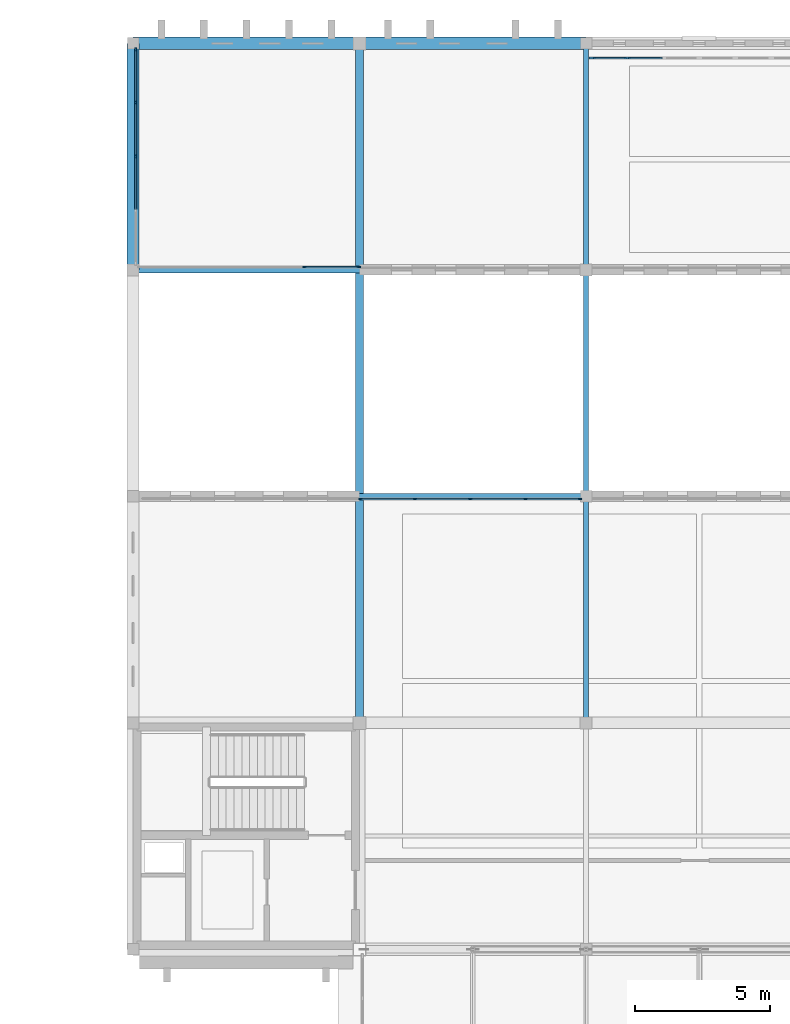
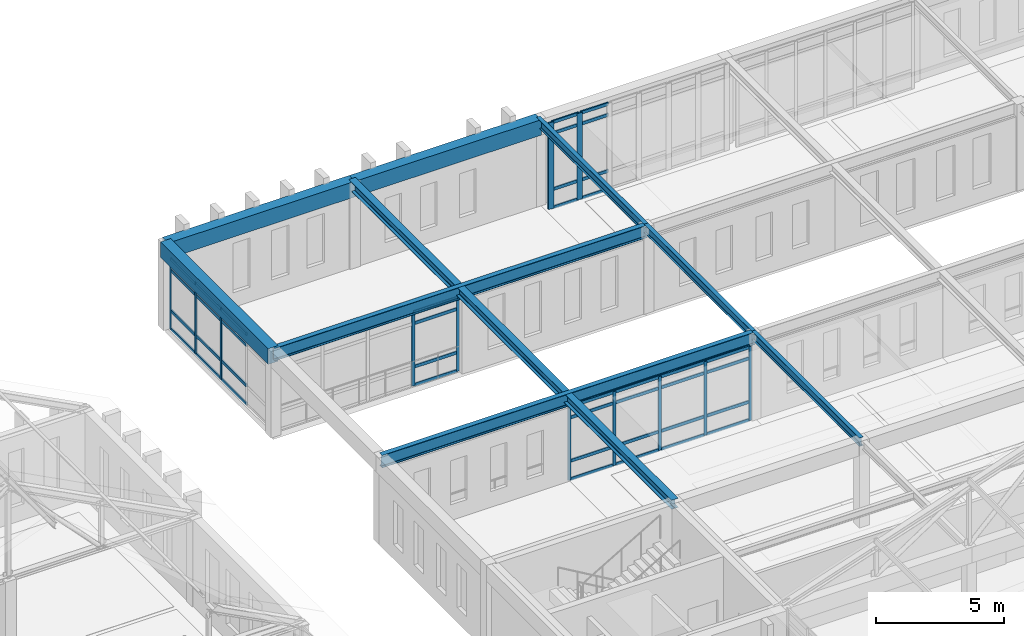
# One storey, part 86 of 192: 52 members, 9 beams, 4 elements without a shape of their own.
"""IFC4 building model written with IfcOpenShell, lengths in metres."""

from ifc_helpers import new_model, si_unit, direction, frame, origin, origin_2d, place, context, subcontext, project, spatial, rectangle, i_section, extrude, material, layer, layer_set, material_profile, profile_set, type_object, element, aggregate, save


model = new_model("IFC4")

# Units and contexts
model_context = context("Model", 3, precision=1e-05, world=origin(), true_north=direction((0.0, 1.0)))
body_context = subcontext(model_context, "Body", "Model", "MODEL_VIEW")
ifc_project = project(units=[si_unit("LENGTHUNIT", "METRE"), si_unit("AREAUNIT", "SQUARE_METRE"), si_unit("VOLUMEUNIT", "CUBIC_METRE"), si_unit("PLANEANGLEUNIT", "RADIAN"), si_unit("MASSUNIT", "GRAM", prefix="KILO")], contexts=[model_context])

# Site, building, storey
site_placement = place(None, origin())
site = spatial("IfcSite", under=ifc_project, at=site_placement, CompositionType="ELEMENT")
building_placement = place(site_placement, origin())
building = spatial("IfcBuilding", under=site, at=building_placement, Name="Kveldsbrygga Polytechnic", CompositionType="ELEMENT")
storey_placement = place(building_placement, frame((0.0, 0.0, 5.43994140625)))
storey = spatial("IfcBuildingStorey", under=building, at=storey_placement, Name="L01", CompositionType="ELEMENT", Elevation=5.43994140625)

# Beams
ifc_material_1 = material(Name="Concrete C35/45", Category="concrete")
ifc_material_profile_1 = material_profile(ifc_material_1, rectangle(XDim=0.449951171875, YDim=0.75, at=origin_2d()), Name="RC 450x750")
ifc_profile_set_1 = profile_set([ifc_material_profile_1], Name="Concrete C35/45")
beam_type_1 = type_object("IfcBeamType", Name="BM-RC-450x750", PredefinedType="BEAM", material=ifc_profile_set_1)
beam_1_placement = place(storey_placement, frame((42.0, 109.199951171875, 3.7451171875), z_axis=(0.0, 1.0, 0.0), x_axis=(-1.0, 0.0, 0.0)))
element("IfcBeam", 1, at=beam_1_placement, inside=storey, type_object=beam_type_1, Name="Primary Beam BMY-L01-05-13to14", PredefinedType="BEAM", context=body_context, shape_type="SweptSolid", body=[
    extrude(rectangle(XDim=0.449951171875, YDim=0.75, at=origin_2d()), origin(), (0.0, 0.0, 1.0), 8.400146484375),
])
ifc_material_profile_2 = material_profile(ifc_material_1, rectangle(XDim=0.4599609375, YDim=0.739990234375, at=origin_2d()), Name="RC 460x740")
ifc_profile_set_2 = profile_set([ifc_material_profile_2], Name="Concrete C35/45")
beam_type_2 = type_object("IfcBeamType", Name="BM-RC-460x740", PredefinedType="BEAM", material=ifc_profile_set_2)
beam_2_placement = place(storey_placement, frame((42.0, 117.60009765625, 3.75), z_axis=(1.0, 0.0, 0.0), x_axis=(0.0, 1.0, 0.0)))
element("IfcBeam", 2, at=beam_2_placement, inside=storey, type_object=beam_type_2, Name="Primary Beam BMX-L01-05to06-14", PredefinedType="BEAM", context=body_context, shape_type="SweptSolid", body=[
    extrude(rectangle(XDim=0.4599609375, YDim=0.739990234375, at=origin_2d()), origin(), (0.0, 0.0, 1.0), 8.39990234375),
])
beam_3_placement = place(storey_placement, frame((50.39990234375, 117.60009765625, 3.75), z_axis=(1.0, 0.0, 0.0), x_axis=(0.0, 1.0, 0.0)))
element("IfcBeam", 3, at=beam_3_placement, inside=storey, type_object=beam_type_2, Name="Primary Beam BMX-L01-06to07-14", PredefinedType="BEAM", context=body_context, shape_type="SweptSolid", body=[
    extrude(rectangle(XDim=0.4599609375, YDim=0.739990234375, at=origin_2d()), origin(), (0.0, 0.0, 1.0), 8.400146484375),
])
ifc_material_2 = material(Name="Steel S355", Category="steel")
ifc_material_profile_3 = material_profile(ifc_material_2, i_section(OverallWidth=0.300048828125, OverallDepth=0.43994140625, WebThickness=0.011474609375, FlangeThickness=0.02099609375, FilletRadius=0.027099609375, at=origin_2d()), Name="HEA 450")
ifc_profile_set_3 = profile_set([ifc_material_profile_3], Name="Steel S355")
beam_type_3 = type_object("IfcBeamType", Name="BM-STL-HEA450", PredefinedType="BEAM", material=ifc_profile_set_3)
beam_4_placement = place(storey_placement, frame((50.39990234375, 92.39990234375, 3.900146484375), z_axis=(0.0, 1.0, 0.0), x_axis=(-1.0, 0.0, 0.0)))
element("IfcBeam", 4, at=beam_4_placement, inside=storey, type_object=beam_type_3, Name="Primary Beam BMY-L01-06-11to14", PredefinedType="BEAM", context=body_context, shape_type="SweptSolid", body=[
    extrude(i_section(OverallWidth=0.300048828125, OverallDepth=0.43994140625, WebThickness=0.011474609375, FlangeThickness=0.02099609375, FilletRadius=0.027099609375, at=origin_2d()), origin(), (0.0, 0.0, 1.0), 25.2001953125),
])
ifc_material_profile_4 = material_profile(ifc_material_2, i_section(OverallWidth=0.179931640625, OverallDepth=0.39990234375, WebThickness=0.008544921875, FlangeThickness=0.013427734375, FilletRadius=0.02099609375, at=origin_2d()), Name="IPE 400")
ifc_profile_set_4 = profile_set([ifc_material_profile_4], Name="Steel S355")
beam_type_4 = type_object("IfcBeamType", Name="BM-STL-IPE400", PredefinedType="BEAM", material=ifc_profile_set_4)
beam_5_placement = place(storey_placement, frame((58.800048828125, 92.39990234375, 3.920166015625), z_axis=(0.0, 1.0, 0.0), x_axis=(-1.0, 0.0, 0.0)))
element("IfcBeam", 5, at=beam_5_placement, inside=storey, type_object=beam_type_4, Name="Primary Beam BMY-L01-07-11to12", PredefinedType="BEAM", context=body_context, shape_type="SweptSolid", body=[
    extrude(i_section(OverallWidth=0.179931640625, OverallDepth=0.39990234375, WebThickness=0.008544921875, FlangeThickness=0.013427734375, FilletRadius=0.02099609375, at=origin_2d()), origin(), (0.0, 0.0, 1.0), 8.400146484375),
])
beam_6_placement = place(storey_placement, frame((58.800048828125, 100.800048828125, 3.920166015625), z_axis=(0.0, 1.0, 0.0), x_axis=(-1.0, 0.0, 0.0)))
element("IfcBeam", 6, at=beam_6_placement, inside=storey, type_object=beam_type_4, Name="Primary Beam BMY-L01-07-12to13", PredefinedType="BEAM", context=body_context, shape_type="SweptSolid", body=[
    extrude(i_section(OverallWidth=0.179931640625, OverallDepth=0.39990234375, WebThickness=0.008544921875, FlangeThickness=0.013427734375, FilletRadius=0.02099609375, at=origin_2d()), origin(), (0.0, 0.0, 1.0), 8.39990234375),
])
beam_7_placement = place(storey_placement, frame((58.800048828125, 109.199951171875, 3.920166015625), z_axis=(0.0, 1.0, 0.0), x_axis=(-1.0, 0.0, 0.0)))
element("IfcBeam", 7, at=beam_7_placement, inside=storey, type_object=beam_type_4, Name="Primary Beam BMY-L01-07-13to14", PredefinedType="BEAM", context=body_context, shape_type="SweptSolid", body=[
    extrude(i_section(OverallWidth=0.179931640625, OverallDepth=0.39990234375, WebThickness=0.008544921875, FlangeThickness=0.013427734375, FilletRadius=0.02099609375, at=origin_2d()), origin(), (0.0, 0.0, 1.0), 8.400146484375),
])
ifc_material_profile_5 = material_profile(ifc_material_2, i_section(OverallWidth=0.219970703125, OverallDepth=0.60009765625, WebThickness=0.011962890625, FlangeThickness=0.01904296875, FilletRadius=0.02392578125, at=origin_2d()), Name="IPE 600")
ifc_profile_set_5 = profile_set([ifc_material_profile_5], Name="Steel S355")
beam_type_5 = type_object("IfcBeamType", Name="BM-STL-IPE600", PredefinedType="BEAM", material=ifc_profile_set_5)
for number, where, z_axis, x_axis, name in (
    (8, (42.0, 100.800048828125, 3.820068359375), (1.0, 0.0, 0.0), (0.0, 1.0, 0.0), "Primary Beam BMX-L01-05to07-12"),
    (9, (42.0, 109.199951171875, 3.820068359375), (1.0, 0.0, 0.0), (0.0, 1.0, 0.0), "Primary Beam BMX-L01-05to07-13"),
):
    element("IfcBeam", number, at=place(storey_placement, frame(where, z_axis=z_axis, x_axis=x_axis)), inside=storey, type_object=beam_type_5, Name=name, PredefinedType="BEAM", context=body_context, shape_type="SweptSolid", body=[
        extrude(i_section(OverallWidth=0.219970703125, OverallDepth=0.60009765625, WebThickness=0.011962890625, FlangeThickness=0.01904296875, FilletRadius=0.02392578125, at=origin_2d()), origin(), (0.0, 0.0, 1.0), 16.800048828125),
    ])

# Curtain wall, members
ifc_material_3 = material(Name="Anodised aluminium AW-6060", Category="aluminium")
ifc_layer_1 = layer(ifc_material_3, 0.199951171875)
ifc_layer_set_1 = layer_set([ifc_layer_1], Name="Anodised aluminium AW-6060")
curtain_wall_type_1 = type_object("IfcCurtainWallType", Name="CW-LANC-E", PredefinedType="USERDEFINED", material=ifc_layer_set_1)
curtain_wall_1_placement = place(storey_placement, origin())
curtain_wall_1 = element("IfcCurtainWall", 10, at=curtain_wall_1_placement, inside=storey, type_object=curtain_wall_type_1, Name="Curtain Wall CW-L01-X-05-13", ObjectType="UNITISED CURTAIN WALL", PredefinedType="USERDEFINED")
ifc_material_profile_6 = material_profile(ifc_material_3, rectangle(XDim=0.06005859375, YDim=0.139892578125, at=origin_2d()), Name="ALU 60x140")
ifc_profile_set_6 = profile_set([ifc_material_profile_6], Name="Anodised aluminium AW-6060")
member_type_1 = type_object("IfcMemberType", Name="CW-MUL-140", PredefinedType="MULLION", material=ifc_profile_set_6)
member_1_placement = place(storey_placement, frame((48.3525390625, 109.300048828125, 0.0), z_axis=(0.0, 0.0, 1.0), x_axis=(0.0, 1.0, 0.0)))
member_1 = element("IfcMember", 11, at=member_1_placement, type_object=member_type_1, Name="CW-05 mullion 4", PredefinedType="MULLION", context=body_context, shape_type="SweptSolid", body=[
    extrude(rectangle(XDim=0.06005859375, YDim=0.139892578125, at=origin_2d()), origin(), (0.0, 0.0, 1.0), 3.52001953125),
])
member_2_placement = place(storey_placement, frame((50.3701171875, 109.300048828125, 0.0), z_axis=(0.0, 0.0, 1.0), x_axis=(0.0, 1.0, 0.0)))
member_2 = element("IfcMember", 12, at=member_2_placement, type_object=member_type_1, Name="CW-05 mullion 5", PredefinedType="MULLION", context=body_context, shape_type="SweptSolid", body=[
    extrude(rectangle(XDim=0.06005859375, YDim=0.139892578125, at=origin_2d()), origin(), (0.0, 0.0, 1.0), 3.52001953125),
])

curtain_wall_2_placement = place(storey_placement, origin())
curtain_wall_2 = element("IfcCurtainWall", 13, at=curtain_wall_2_placement, inside=storey, type_object=curtain_wall_type_1, Name="Curtain Wall CW-L01-Y-05-13", ObjectType="UNITISED CURTAIN WALL", PredefinedType="USERDEFINED")
member_3_placement = place(storey_placement, frame((42.10009765625, 113.407470703125, 0.0), z_axis=(0.0, 0.0, 1.0), x_axis=(-1.0, 0.0, 0.0)))
member_3 = element("IfcMember", 14, at=member_3_placement, type_object=member_type_1, Name="CW-05 mullion 3", PredefinedType="MULLION", context=body_context, shape_type="SweptSolid", body=[
    extrude(rectangle(XDim=0.06005859375, YDim=0.139892578125, at=origin_2d()), origin(), (0.0, 0.0, 1.0), 3.3701171875),
])
member_4_placement = place(storey_placement, frame((42.10009765625, 115.40625, 0.0), z_axis=(0.0, 0.0, 1.0), x_axis=(-1.0, 0.0, 0.0)))
member_4 = element("IfcMember", 15, at=member_4_placement, type_object=member_type_1, Name="CW-05 mullion 4", PredefinedType="MULLION", context=body_context, shape_type="SweptSolid", body=[
    extrude(rectangle(XDim=0.06005859375, YDim=0.139892578125, at=origin_2d()), origin(), (0.0, 0.0, 1.0), 3.3701171875),
])
member_5_placement = place(storey_placement, frame((42.10009765625, 117.375, 0.0), z_axis=(0.0, 0.0, 1.0), x_axis=(-1.0, 0.0, 0.0)))
member_5 = element("IfcMember", 16, at=member_5_placement, type_object=member_type_1, Name="CW-05 mullion 5", PredefinedType="MULLION", context=body_context, shape_type="SweptSolid", body=[
    extrude(rectangle(XDim=0.06005859375, YDim=0.139892578125, at=origin_2d()), origin(), (0.0, 0.0, 1.0), 3.3701171875),
])

curtain_wall_3_placement = place(storey_placement, origin())
curtain_wall_3 = element("IfcCurtainWall", 17, at=curtain_wall_3_placement, inside=storey, type_object=curtain_wall_type_1, Name="Curtain Wall CW-L01-X-06-12", ObjectType="UNITISED CURTAIN WALL", PredefinedType="USERDEFINED")
member_6_placement = place(storey_placement, frame((50.429931640625, 100.699951171875, 0.0), z_axis=(0.0, 0.0, 1.0), x_axis=(0.0, 1.0, 0.0)))
member_6 = element("IfcMember", 18, at=member_6_placement, type_object=member_type_1, Name="CW-05 mullion 1", PredefinedType="MULLION", context=body_context, shape_type="SweptSolid", body=[
    extrude(rectangle(XDim=0.06005859375, YDim=0.139892578125, at=origin_2d()), origin(), (0.0, 0.0, 1.0), 3.52001953125),
])
member_7_placement = place(storey_placement, frame((52.451171875, 100.699951171875, 0.0), z_axis=(0.0, 0.0, 1.0), x_axis=(0.0, 1.0, 0.0)))
member_7 = element("IfcMember", 19, at=member_7_placement, type_object=member_type_1, Name="CW-05 mullion 2", PredefinedType="MULLION", context=body_context, shape_type="SweptSolid", body=[
    extrude(rectangle(XDim=0.06005859375, YDim=0.139892578125, at=origin_2d()), origin(), (0.0, 0.0, 1.0), 3.52001953125),
])
member_8_placement = place(storey_placement, frame((54.50244140625, 100.699951171875, 0.0), z_axis=(0.0, 0.0, 1.0), x_axis=(0.0, 1.0, 0.0)))
member_8 = element("IfcMember", 20, at=member_8_placement, type_object=member_type_1, Name="CW-05 mullion 3", PredefinedType="MULLION", context=body_context, shape_type="SweptSolid", body=[
    extrude(rectangle(XDim=0.06005859375, YDim=0.139892578125, at=origin_2d()), origin(), (0.0, 0.0, 1.0), 3.52001953125),
])
member_9_placement = place(storey_placement, frame((56.5537109375, 100.699951171875, 0.0), z_axis=(0.0, 0.0, 1.0), x_axis=(0.0, 1.0, 0.0)))
member_9 = element("IfcMember", 21, at=member_9_placement, type_object=member_type_1, Name="CW-05 mullion 4", PredefinedType="MULLION", context=body_context, shape_type="SweptSolid", body=[
    extrude(rectangle(XDim=0.06005859375, YDim=0.139892578125, at=origin_2d()), origin(), (0.0, 0.0, 1.0), 3.52001953125),
])
member_10_placement = place(storey_placement, frame((58.574951171875, 100.699951171875, 0.0), z_axis=(0.0, 0.0, 1.0), x_axis=(0.0, 1.0, 0.0)))
member_10 = element("IfcMember", 22, at=member_10_placement, type_object=member_type_1, Name="CW-05 mullion 5", PredefinedType="MULLION", context=body_context, shape_type="SweptSolid", body=[
    extrude(rectangle(XDim=0.06005859375, YDim=0.139892578125, at=origin_2d()), origin(), (0.0, 0.0, 1.0), 3.52001953125),
])

ifc_layer_2 = layer(ifc_material_3, 0.2099609375)
ifc_layer_set_2 = layer_set([ifc_layer_2], Name="Anodised aluminium AW-6060")
curtain_wall_type_2 = type_object("IfcCurtainWallType", Name="CW-LIBR-H", PredefinedType="USERDEFINED", material=ifc_layer_set_2)
curtain_wall_4_placement = place(storey_placement, origin())
curtain_wall_4 = element("IfcCurtainWall", 23, at=curtain_wall_4_placement, inside=storey, type_object=curtain_wall_type_2, Name="Curtain Wall CW-L01-X-07-14", ObjectType="UNITISED CURTAIN WALL", PredefinedType="USERDEFINED")
ifc_material_profile_7 = material_profile(ifc_material_3, rectangle(XDim=0.074951171875, YDim=0.239990234375, at=origin_2d()), Name="ALU 75x240")
ifc_profile_set_7 = profile_set([ifc_material_profile_7], Name="Anodised aluminium AW-6060")
member_type_2 = type_object("IfcMemberType", Name="CW-MUL-240", PredefinedType="MULLION", material=ifc_profile_set_7)
member_11_placement = place(storey_placement, frame((59.032470703125, 117.050048828125, 0.0), z_axis=(0.0, 0.0, 1.0), x_axis=(0.0, 1.0, 0.0)))
member_11 = element("IfcMember", 24, at=member_11_placement, type_object=member_type_2, Name="CW-08 mullion 1", PredefinedType="MULLION", context=body_context, shape_type="SweptSolid", body=[
    extrude(rectangle(XDim=0.074951171875, YDim=0.239990234375, at=origin_2d()), origin(), (0.0, 0.0, 1.0), 4.1201171875),
])
member_12_placement = place(storey_placement, frame((60.327392578125, 117.050048828125, 0.0), z_axis=(0.0, 0.0, 1.0), x_axis=(0.0, 1.0, 0.0)))
member_12 = element("IfcMember", 25, at=member_12_placement, type_object=member_type_2, Name="CW-08 mullion 2", PredefinedType="MULLION", context=body_context, shape_type="SweptSolid", body=[
    extrude(rectangle(XDim=0.074951171875, YDim=0.239990234375, at=origin_2d()), origin(), (0.0, 0.0, 1.0), 4.1201171875),
])

# Member
ifc_material_profile_8 = material_profile(ifc_material_3, rectangle(XDim=0.06005859375, YDim=0.14990234375, at=origin_2d()), Name="ALU 60x150")
ifc_profile_set_8 = profile_set([ifc_material_profile_8], Name="Anodised aluminium AW-6060")
member_type_3 = type_object("IfcMemberType", Name="CW-TRN-150", PredefinedType="USERDEFINED", material=ifc_profile_set_8)
member_13_placement = place(storey_placement, frame((48.382568359375, 109.300048828125, 0.030029296875), z_axis=(1.0, 0.0, 0.0), x_axis=(0.0, 1.0, 0.0)))
member_13 = element("IfcMember", 26, at=member_13_placement, type_object=member_type_3, Name="CW-05 transom 4.1", ObjectType="TRANSOM", PredefinedType="USERDEFINED", context=body_context, shape_type="SweptSolid", body=[
    extrude(rectangle(XDim=0.06005859375, YDim=0.14990234375, at=origin_2d()), origin(), (0.0, 0.0, 1.0), 1.95751953125),
])

member_14_placement = place(storey_placement, frame((48.382568359375, 109.300048828125, 0.900146484375), z_axis=(1.0, 0.0, 0.0), x_axis=(0.0, 1.0, 0.0)))
member_14 = element("IfcMember", 27, at=member_14_placement, type_object=member_type_3, Name="CW-05 transom 4.2", ObjectType="TRANSOM", PredefinedType="USERDEFINED", context=body_context, shape_type="SweptSolid", body=[
    extrude(rectangle(XDim=0.06005859375, YDim=0.14990234375, at=origin_2d()), origin(), (0.0, 0.0, 1.0), 1.95751953125),
])

member_15_placement = place(storey_placement, frame((48.382568359375, 109.300048828125, 2.969970703125), z_axis=(1.0, 0.0, 0.0), x_axis=(0.0, 1.0, 0.0)))
member_15 = element("IfcMember", 28, at=member_15_placement, type_object=member_type_3, Name="CW-05 transom 4.3", ObjectType="TRANSOM", PredefinedType="USERDEFINED", context=body_context, shape_type="SweptSolid", body=[
    extrude(rectangle(XDim=0.06005859375, YDim=0.14990234375, at=origin_2d()), origin(), (0.0, 0.0, 1.0), 1.95751953125),
])

member_16_placement = place(storey_placement, frame((48.382568359375, 109.300048828125, 3.489990234375), z_axis=(1.0, 0.0, 0.0), x_axis=(0.0, 1.0, 0.0)))
member_16 = element("IfcMember", 29, at=member_16_placement, type_object=member_type_3, Name="CW-05 transom 4.4", ObjectType="TRANSOM", PredefinedType="USERDEFINED", context=body_context, shape_type="SweptSolid", body=[
    extrude(rectangle(XDim=0.06005859375, YDim=0.14990234375, at=origin_2d()), origin(), (0.0, 0.0, 1.0), 1.95751953125),
])

aggregate(curtain_wall_1, [member_1, member_2, member_13, member_14, member_15, member_16])

member_17_placement = place(storey_placement, frame((42.10009765625, 111.438720703125, 0.030029296875), z_axis=(0.0, 1.0, 0.0), x_axis=(-1.0, 0.0, 0.0)))
member_17 = element("IfcMember", 30, at=member_17_placement, type_object=member_type_3, Name="CW-05 transom 2.1", ObjectType="TRANSOM", PredefinedType="USERDEFINED", context=body_context, shape_type="SweptSolid", body=[
    extrude(rectangle(XDim=0.06005859375, YDim=0.14990234375, at=origin_2d()), origin(), (0.0, 0.0, 1.0), 1.938720703125),
])

member_18_placement = place(storey_placement, frame((42.10009765625, 111.438720703125, 0.900146484375), z_axis=(0.0, 1.0, 0.0), x_axis=(-1.0, 0.0, 0.0)))
member_18 = element("IfcMember", 31, at=member_18_placement, type_object=member_type_3, Name="CW-05 transom 2.2", ObjectType="TRANSOM", PredefinedType="USERDEFINED", context=body_context, shape_type="SweptSolid", body=[
    extrude(rectangle(XDim=0.06005859375, YDim=0.14990234375, at=origin_2d()), origin(), (0.0, 0.0, 1.0), 1.938720703125),
])

member_19_placement = place(storey_placement, frame((42.10009765625, 111.438720703125, 2.820068359375), z_axis=(0.0, 1.0, 0.0), x_axis=(-1.0, 0.0, 0.0)))
member_19 = element("IfcMember", 32, at=member_19_placement, type_object=member_type_3, Name="CW-05 transom 2.3", ObjectType="TRANSOM", PredefinedType="USERDEFINED", context=body_context, shape_type="SweptSolid", body=[
    extrude(rectangle(XDim=0.06005859375, YDim=0.14990234375, at=origin_2d()), origin(), (0.0, 0.0, 1.0), 1.938720703125),
])

member_20_placement = place(storey_placement, frame((42.10009765625, 111.438720703125, 3.340087890625), z_axis=(0.0, 1.0, 0.0), x_axis=(-1.0, 0.0, 0.0)))
member_20 = element("IfcMember", 33, at=member_20_placement, type_object=member_type_3, Name="CW-05 transom 2.4", ObjectType="TRANSOM", PredefinedType="USERDEFINED", context=body_context, shape_type="SweptSolid", body=[
    extrude(rectangle(XDim=0.06005859375, YDim=0.14990234375, at=origin_2d()), origin(), (0.0, 0.0, 1.0), 1.938720703125),
])

member_21_placement = place(storey_placement, frame((42.10009765625, 113.4375, 0.030029296875), z_axis=(0.0, 1.0, 0.0), x_axis=(-1.0, 0.0, 0.0)))
member_21 = element("IfcMember", 34, at=member_21_placement, type_object=member_type_3, Name="CW-05 transom 3.1", ObjectType="TRANSOM", PredefinedType="USERDEFINED", context=body_context, shape_type="SweptSolid", body=[
    extrude(rectangle(XDim=0.06005859375, YDim=0.14990234375, at=origin_2d()), origin(), (0.0, 0.0, 1.0), 1.938720703125),
])

member_22_placement = place(storey_placement, frame((42.10009765625, 113.4375, 0.900146484375), z_axis=(0.0, 1.0, 0.0), x_axis=(-1.0, 0.0, 0.0)))
member_22 = element("IfcMember", 35, at=member_22_placement, type_object=member_type_3, Name="CW-05 transom 3.2", ObjectType="TRANSOM", PredefinedType="USERDEFINED", context=body_context, shape_type="SweptSolid", body=[
    extrude(rectangle(XDim=0.06005859375, YDim=0.14990234375, at=origin_2d()), origin(), (0.0, 0.0, 1.0), 1.938720703125),
])

member_23_placement = place(storey_placement, frame((42.10009765625, 113.4375, 2.820068359375), z_axis=(0.0, 1.0, 0.0), x_axis=(-1.0, 0.0, 0.0)))
member_23 = element("IfcMember", 36, at=member_23_placement, type_object=member_type_3, Name="CW-05 transom 3.3", ObjectType="TRANSOM", PredefinedType="USERDEFINED", context=body_context, shape_type="SweptSolid", body=[
    extrude(rectangle(XDim=0.06005859375, YDim=0.14990234375, at=origin_2d()), origin(), (0.0, 0.0, 1.0), 1.938720703125),
])

member_24_placement = place(storey_placement, frame((42.10009765625, 113.4375, 3.340087890625), z_axis=(0.0, 1.0, 0.0), x_axis=(-1.0, 0.0, 0.0)))
member_24 = element("IfcMember", 37, at=member_24_placement, type_object=member_type_3, Name="CW-05 transom 3.4", ObjectType="TRANSOM", PredefinedType="USERDEFINED", context=body_context, shape_type="SweptSolid", body=[
    extrude(rectangle(XDim=0.06005859375, YDim=0.14990234375, at=origin_2d()), origin(), (0.0, 0.0, 1.0), 1.938720703125),
])

member_25_placement = place(storey_placement, frame((42.10009765625, 115.436279296875, 0.030029296875), z_axis=(0.0, 1.0, 0.0), x_axis=(-1.0, 0.0, 0.0)))
member_25 = element("IfcMember", 38, at=member_25_placement, type_object=member_type_3, Name="CW-05 transom 4.1", ObjectType="TRANSOM", PredefinedType="USERDEFINED", context=body_context, shape_type="SweptSolid", body=[
    extrude(rectangle(XDim=0.06005859375, YDim=0.14990234375, at=origin_2d()), origin(), (0.0, 0.0, 1.0), 1.90869140625),
])

member_26_placement = place(storey_placement, frame((42.10009765625, 115.436279296875, 0.900146484375), z_axis=(0.0, 1.0, 0.0), x_axis=(-1.0, 0.0, 0.0)))
member_26 = element("IfcMember", 39, at=member_26_placement, type_object=member_type_3, Name="CW-05 transom 4.2", ObjectType="TRANSOM", PredefinedType="USERDEFINED", context=body_context, shape_type="SweptSolid", body=[
    extrude(rectangle(XDim=0.06005859375, YDim=0.14990234375, at=origin_2d()), origin(), (0.0, 0.0, 1.0), 1.90869140625),
])

member_27_placement = place(storey_placement, frame((42.10009765625, 115.436279296875, 2.820068359375), z_axis=(0.0, 1.0, 0.0), x_axis=(-1.0, 0.0, 0.0)))
member_27 = element("IfcMember", 40, at=member_27_placement, type_object=member_type_3, Name="CW-05 transom 4.3", ObjectType="TRANSOM", PredefinedType="USERDEFINED", context=body_context, shape_type="SweptSolid", body=[
    extrude(rectangle(XDim=0.06005859375, YDim=0.14990234375, at=origin_2d()), origin(), (0.0, 0.0, 1.0), 1.90869140625),
])

member_28_placement = place(storey_placement, frame((42.10009765625, 115.436279296875, 3.340087890625), z_axis=(0.0, 1.0, 0.0), x_axis=(-1.0, 0.0, 0.0)))
member_28 = element("IfcMember", 41, at=member_28_placement, type_object=member_type_3, Name="CW-05 transom 4.4", ObjectType="TRANSOM", PredefinedType="USERDEFINED", context=body_context, shape_type="SweptSolid", body=[
    extrude(rectangle(XDim=0.06005859375, YDim=0.14990234375, at=origin_2d()), origin(), (0.0, 0.0, 1.0), 1.90869140625),
])

aggregate(curtain_wall_2, [member_3, member_4, member_5, member_17, member_18, member_19, member_20, member_21, member_22, member_23, member_24, member_25, member_26, member_27, member_28])

member_29_placement = place(storey_placement, frame((50.4599609375, 100.699951171875, 0.030029296875), z_axis=(1.0, 0.0, 0.0), x_axis=(0.0, 1.0, 0.0)))
member_29 = element("IfcMember", 42, at=member_29_placement, type_object=member_type_3, Name="CW-05 transom 1.1", ObjectType="TRANSOM", PredefinedType="USERDEFINED", context=body_context, shape_type="SweptSolid", body=[
    extrude(rectangle(XDim=0.06005859375, YDim=0.14990234375, at=origin_2d()), origin(), (0.0, 0.0, 1.0), 1.961181640625),
])

member_30_placement = place(storey_placement, frame((50.4599609375, 100.699951171875, 0.900146484375), z_axis=(1.0, 0.0, 0.0), x_axis=(0.0, 1.0, 0.0)))
member_30 = element("IfcMember", 43, at=member_30_placement, type_object=member_type_3, Name="CW-05 transom 1.2", ObjectType="TRANSOM", PredefinedType="USERDEFINED", context=body_context, shape_type="SweptSolid", body=[
    extrude(rectangle(XDim=0.06005859375, YDim=0.14990234375, at=origin_2d()), origin(), (0.0, 0.0, 1.0), 1.961181640625),
])

member_31_placement = place(storey_placement, frame((50.4599609375, 100.699951171875, 2.969970703125), z_axis=(1.0, 0.0, 0.0), x_axis=(0.0, 1.0, 0.0)))
member_31 = element("IfcMember", 44, at=member_31_placement, type_object=member_type_3, Name="CW-05 transom 1.3", ObjectType="TRANSOM", PredefinedType="USERDEFINED", context=body_context, shape_type="SweptSolid", body=[
    extrude(rectangle(XDim=0.06005859375, YDim=0.14990234375, at=origin_2d()), origin(), (0.0, 0.0, 1.0), 1.961181640625),
])

member_32_placement = place(storey_placement, frame((50.4599609375, 100.699951171875, 3.489990234375), z_axis=(1.0, 0.0, 0.0), x_axis=(0.0, 1.0, 0.0)))
member_32 = element("IfcMember", 45, at=member_32_placement, type_object=member_type_3, Name="CW-05 transom 1.4", ObjectType="TRANSOM", PredefinedType="USERDEFINED", context=body_context, shape_type="SweptSolid", body=[
    extrude(rectangle(XDim=0.06005859375, YDim=0.14990234375, at=origin_2d()), origin(), (0.0, 0.0, 1.0), 1.961181640625),
])

member_33_placement = place(storey_placement, frame((52.481201171875, 100.699951171875, 0.030029296875), z_axis=(1.0, 0.0, 0.0), x_axis=(0.0, 1.0, 0.0)))
member_33 = element("IfcMember", 46, at=member_33_placement, type_object=member_type_3, Name="CW-05 transom 2.1", ObjectType="TRANSOM", PredefinedType="USERDEFINED", context=body_context, shape_type="SweptSolid", body=[
    extrude(rectangle(XDim=0.06005859375, YDim=0.14990234375, at=origin_2d()), origin(), (0.0, 0.0, 1.0), 1.9912109375),
])

member_34_placement = place(storey_placement, frame((52.481201171875, 100.699951171875, 0.900146484375), z_axis=(1.0, 0.0, 0.0), x_axis=(0.0, 1.0, 0.0)))
member_34 = element("IfcMember", 47, at=member_34_placement, type_object=member_type_3, Name="CW-05 transom 2.2", ObjectType="TRANSOM", PredefinedType="USERDEFINED", context=body_context, shape_type="SweptSolid", body=[
    extrude(rectangle(XDim=0.06005859375, YDim=0.14990234375, at=origin_2d()), origin(), (0.0, 0.0, 1.0), 1.9912109375),
])

member_35_placement = place(storey_placement, frame((52.481201171875, 100.699951171875, 2.969970703125), z_axis=(1.0, 0.0, 0.0), x_axis=(0.0, 1.0, 0.0)))
member_35 = element("IfcMember", 48, at=member_35_placement, type_object=member_type_3, Name="CW-05 transom 2.3", ObjectType="TRANSOM", PredefinedType="USERDEFINED", context=body_context, shape_type="SweptSolid", body=[
    extrude(rectangle(XDim=0.06005859375, YDim=0.14990234375, at=origin_2d()), origin(), (0.0, 0.0, 1.0), 1.9912109375),
])

member_36_placement = place(storey_placement, frame((52.481201171875, 100.699951171875, 3.489990234375), z_axis=(1.0, 0.0, 0.0), x_axis=(0.0, 1.0, 0.0)))
member_36 = element("IfcMember", 49, at=member_36_placement, type_object=member_type_3, Name="CW-05 transom 2.4", ObjectType="TRANSOM", PredefinedType="USERDEFINED", context=body_context, shape_type="SweptSolid", body=[
    extrude(rectangle(XDim=0.06005859375, YDim=0.14990234375, at=origin_2d()), origin(), (0.0, 0.0, 1.0), 1.9912109375),
])

member_37_placement = place(storey_placement, frame((54.532470703125, 100.699951171875, 0.030029296875), z_axis=(1.0, 0.0, 0.0), x_axis=(0.0, 1.0, 0.0)))
member_37 = element("IfcMember", 50, at=member_37_placement, type_object=member_type_3, Name="CW-05 transom 3.1", ObjectType="TRANSOM", PredefinedType="USERDEFINED", context=body_context, shape_type="SweptSolid", body=[
    extrude(rectangle(XDim=0.06005859375, YDim=0.14990234375, at=origin_2d()), origin(), (0.0, 0.0, 1.0), 1.9912109375),
])

member_38_placement = place(storey_placement, frame((54.532470703125, 100.699951171875, 0.900146484375), z_axis=(1.0, 0.0, 0.0), x_axis=(0.0, 1.0, 0.0)))
member_38 = element("IfcMember", 51, at=member_38_placement, type_object=member_type_3, Name="CW-05 transom 3.2", ObjectType="TRANSOM", PredefinedType="USERDEFINED", context=body_context, shape_type="SweptSolid", body=[
    extrude(rectangle(XDim=0.06005859375, YDim=0.14990234375, at=origin_2d()), origin(), (0.0, 0.0, 1.0), 1.9912109375),
])

member_39_placement = place(storey_placement, frame((54.532470703125, 100.699951171875, 2.969970703125), z_axis=(1.0, 0.0, 0.0), x_axis=(0.0, 1.0, 0.0)))
member_39 = element("IfcMember", 52, at=member_39_placement, type_object=member_type_3, Name="CW-05 transom 3.3", ObjectType="TRANSOM", PredefinedType="USERDEFINED", context=body_context, shape_type="SweptSolid", body=[
    extrude(rectangle(XDim=0.06005859375, YDim=0.14990234375, at=origin_2d()), origin(), (0.0, 0.0, 1.0), 1.9912109375),
])

member_40_placement = place(storey_placement, frame((54.532470703125, 100.699951171875, 3.489990234375), z_axis=(1.0, 0.0, 0.0), x_axis=(0.0, 1.0, 0.0)))
member_40 = element("IfcMember", 53, at=member_40_placement, type_object=member_type_3, Name="CW-05 transom 3.4", ObjectType="TRANSOM", PredefinedType="USERDEFINED", context=body_context, shape_type="SweptSolid", body=[
    extrude(rectangle(XDim=0.06005859375, YDim=0.14990234375, at=origin_2d()), origin(), (0.0, 0.0, 1.0), 1.9912109375),
])

member_41_placement = place(storey_placement, frame((56.583740234375, 100.699951171875, 0.030029296875), z_axis=(1.0, 0.0, 0.0), x_axis=(0.0, 1.0, 0.0)))
member_41 = element("IfcMember", 54, at=member_41_placement, type_object=member_type_3, Name="CW-05 transom 4.1", ObjectType="TRANSOM", PredefinedType="USERDEFINED", context=body_context, shape_type="SweptSolid", body=[
    extrude(rectangle(XDim=0.06005859375, YDim=0.14990234375, at=origin_2d()), origin(), (0.0, 0.0, 1.0), 1.961181640625),
])

member_42_placement = place(storey_placement, frame((56.583740234375, 100.699951171875, 0.900146484375), z_axis=(1.0, 0.0, 0.0), x_axis=(0.0, 1.0, 0.0)))
member_42 = element("IfcMember", 55, at=member_42_placement, type_object=member_type_3, Name="CW-05 transom 4.2", ObjectType="TRANSOM", PredefinedType="USERDEFINED", context=body_context, shape_type="SweptSolid", body=[
    extrude(rectangle(XDim=0.06005859375, YDim=0.14990234375, at=origin_2d()), origin(), (0.0, 0.0, 1.0), 1.961181640625),
])

member_43_placement = place(storey_placement, frame((56.583740234375, 100.699951171875, 2.969970703125), z_axis=(1.0, 0.0, 0.0), x_axis=(0.0, 1.0, 0.0)))
member_43 = element("IfcMember", 56, at=member_43_placement, type_object=member_type_3, Name="CW-05 transom 4.3", ObjectType="TRANSOM", PredefinedType="USERDEFINED", context=body_context, shape_type="SweptSolid", body=[
    extrude(rectangle(XDim=0.06005859375, YDim=0.14990234375, at=origin_2d()), origin(), (0.0, 0.0, 1.0), 1.961181640625),
])

member_44_placement = place(storey_placement, frame((56.583740234375, 100.699951171875, 3.489990234375), z_axis=(1.0, 0.0, 0.0), x_axis=(0.0, 1.0, 0.0)))
member_44 = element("IfcMember", 57, at=member_44_placement, type_object=member_type_3, Name="CW-05 transom 4.4", ObjectType="TRANSOM", PredefinedType="USERDEFINED", context=body_context, shape_type="SweptSolid", body=[
    extrude(rectangle(XDim=0.06005859375, YDim=0.14990234375, at=origin_2d()), origin(), (0.0, 0.0, 1.0), 1.961181640625),
])

aggregate(curtain_wall_3, [member_6, member_7, member_8, member_9, member_10, member_29, member_30, member_31, member_32, member_33, member_34, member_35, member_36, member_37, member_38, member_39, member_40, member_41, member_42, member_43, member_44])

member_45_placement = place(storey_placement, frame((59.070068359375, 117.050048828125, 0.030029296875), z_axis=(1.0, 0.0, 0.0), x_axis=(0.0, 1.0, 0.0)))
member_45 = element("IfcMember", 58, at=member_45_placement, type_object=member_type_3, Name="CW-08 transom 1.1", ObjectType="TRANSOM", PredefinedType="USERDEFINED", context=body_context, shape_type="SweptSolid", body=[
    extrude(rectangle(XDim=0.06005859375, YDim=0.14990234375, at=origin_2d()), origin(), (0.0, 0.0, 1.0), 1.219970703125),
])

member_46_placement = place(storey_placement, frame((59.070068359375, 117.050048828125, 0.900146484375), z_axis=(1.0, 0.0, 0.0), x_axis=(0.0, 1.0, 0.0)))
member_46 = element("IfcMember", 59, at=member_46_placement, type_object=member_type_3, Name="CW-08 transom 1.2", ObjectType="TRANSOM", PredefinedType="USERDEFINED", context=body_context, shape_type="SweptSolid", body=[
    extrude(rectangle(XDim=0.06005859375, YDim=0.14990234375, at=origin_2d()), origin(), (0.0, 0.0, 1.0), 1.219970703125),
])

member_47_placement = place(storey_placement, frame((59.070068359375, 117.050048828125, 3.570068359375), z_axis=(1.0, 0.0, 0.0), x_axis=(0.0, 1.0, 0.0)))
member_47 = element("IfcMember", 60, at=member_47_placement, type_object=member_type_3, Name="CW-08 transom 1.3", ObjectType="TRANSOM", PredefinedType="USERDEFINED", context=body_context, shape_type="SweptSolid", body=[
    extrude(rectangle(XDim=0.06005859375, YDim=0.14990234375, at=origin_2d()), origin(), (0.0, 0.0, 1.0), 1.219970703125),
])

member_48_placement = place(storey_placement, frame((59.070068359375, 117.050048828125, 4.090087890625), z_axis=(1.0, 0.0, 0.0), x_axis=(0.0, 1.0, 0.0)))
member_48 = element("IfcMember", 61, at=member_48_placement, type_object=member_type_3, Name="CW-08 transom 1.4", ObjectType="TRANSOM", PredefinedType="USERDEFINED", context=body_context, shape_type="SweptSolid", body=[
    extrude(rectangle(XDim=0.06005859375, YDim=0.14990234375, at=origin_2d()), origin(), (0.0, 0.0, 1.0), 1.219970703125),
])

member_49_placement = place(storey_placement, frame((60.364990234375, 117.050048828125, 0.030029296875), z_axis=(1.0, 0.0, 0.0), x_axis=(0.0, 1.0, 0.0)))
member_49 = element("IfcMember", 62, at=member_49_placement, type_object=member_type_3, Name="CW-08 transom 2.1", ObjectType="TRANSOM", PredefinedType="USERDEFINED", context=body_context, shape_type="SweptSolid", body=[
    extrude(rectangle(XDim=0.06005859375, YDim=0.14990234375, at=origin_2d()), origin(), (0.0, 0.0, 1.0), 1.257568359375),
])

member_50_placement = place(storey_placement, frame((60.364990234375, 117.050048828125, 0.900146484375), z_axis=(1.0, 0.0, 0.0), x_axis=(0.0, 1.0, 0.0)))
member_50 = element("IfcMember", 63, at=member_50_placement, type_object=member_type_3, Name="CW-08 transom 2.2", ObjectType="TRANSOM", PredefinedType="USERDEFINED", context=body_context, shape_type="SweptSolid", body=[
    extrude(rectangle(XDim=0.06005859375, YDim=0.14990234375, at=origin_2d()), origin(), (0.0, 0.0, 1.0), 1.257568359375),
])

member_51_placement = place(storey_placement, frame((60.364990234375, 117.050048828125, 3.570068359375), z_axis=(1.0, 0.0, 0.0), x_axis=(0.0, 1.0, 0.0)))
member_51 = element("IfcMember", 64, at=member_51_placement, type_object=member_type_3, Name="CW-08 transom 2.3", ObjectType="TRANSOM", PredefinedType="USERDEFINED", context=body_context, shape_type="SweptSolid", body=[
    extrude(rectangle(XDim=0.06005859375, YDim=0.14990234375, at=origin_2d()), origin(), (0.0, 0.0, 1.0), 1.257568359375),
])

member_52_placement = place(storey_placement, frame((60.364990234375, 117.050048828125, 4.090087890625), z_axis=(1.0, 0.0, 0.0), x_axis=(0.0, 1.0, 0.0)))
member_52 = element("IfcMember", 65, at=member_52_placement, type_object=member_type_3, Name="CW-08 transom 2.4", ObjectType="TRANSOM", PredefinedType="USERDEFINED", context=body_context, shape_type="SweptSolid", body=[
    extrude(rectangle(XDim=0.06005859375, YDim=0.14990234375, at=origin_2d()), origin(), (0.0, 0.0, 1.0), 1.257568359375),
])

aggregate(curtain_wall_4, [member_11, member_12, member_45, member_46, member_47, member_48, member_49, member_50, member_51, member_52])

save(model, "model.ifc")
